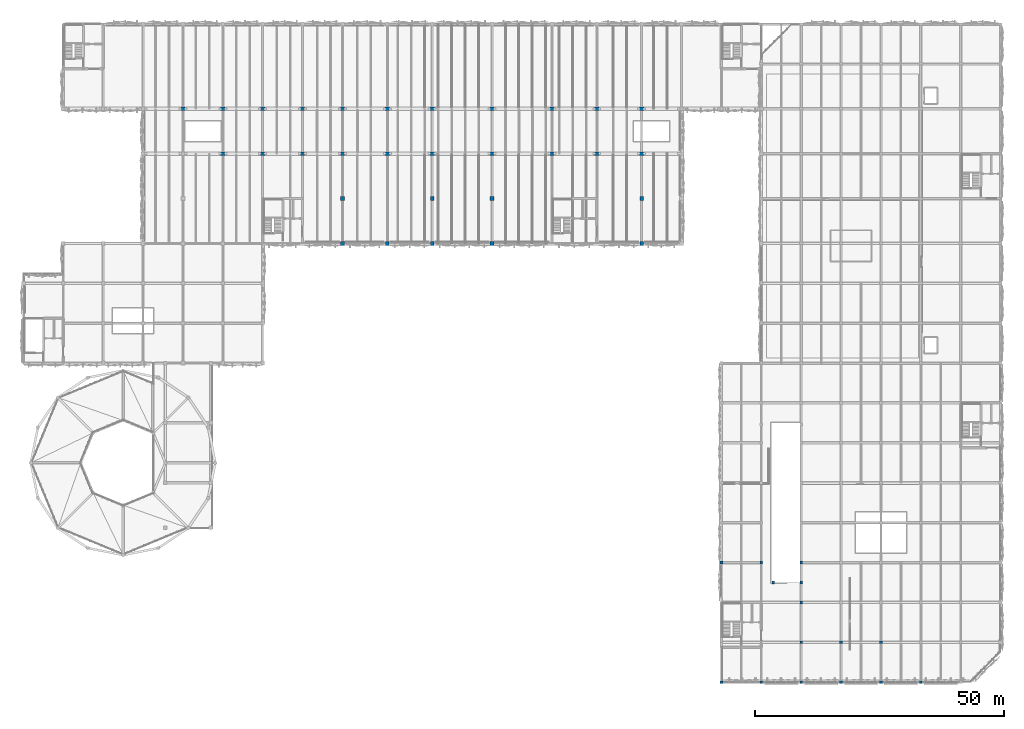
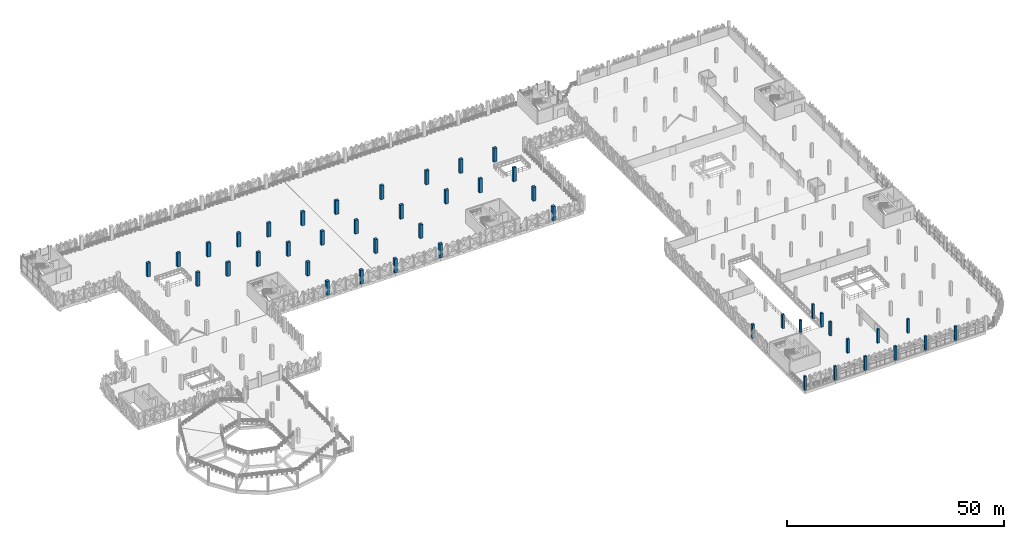
# One storey, part 3 of 83: 45 columns.
"""IFC4 building model written with IfcOpenShell, lengths in metres."""

import ifcopenshell
import ifcopenshell.guid

model = None  # the IFC model being written
_history = None  # IfcOwnerHistory: only IFC2X3 demands one
_inside = {}  # id of a spatial element -> (the spatial element, [elements in it])
_under = {}  # id of a project, library or spatial element -> (it, [spatial elements below it])
_declared = {}  # id of a project -> (the project, [libraries it declares])
_typed = {}  # id of a type object -> (the type object, [elements of that type])
_made_of = {}  # id of a material, layer set ... -> (it, [elements and type objects made of it])


def new_model(schema):
    """Start an empty IFC model of exactly this schema.

    Asked for "IFC4X3", IfcOpenShell would pick the latest addendum, in which some entities
    have other attributes; the version numbers below select the first issue.
    IFC2X3 requires an IfcOwnerHistory on every rooted entity: one is made here for all.
    """
    global model, _history
    if schema == "IFC4X3":
        model = ifcopenshell.file(schema_version=(4, 3, 0, 0))
    else:
        model = ifcopenshell.file(schema=schema)
    _inside.clear()
    _under.clear()
    _declared.clear()
    _typed.clear()
    _made_of.clear()
    _history = None
    if model.schema == "IFC2X3":
        org = make("IfcOrganization", Name="unknown")
        user = make(
            "IfcPersonAndOrganization",
            ThePerson=make("IfcPerson", FamilyName="unknown"),
            TheOrganization=org,
        )
        app = make(
            "IfcApplication",
            ApplicationDeveloper=org,
            Version="unknown",
            ApplicationFullName="unknown",
            ApplicationIdentifier="unknown",
        )
        _history = make(
            "IfcOwnerHistory",
            OwningUser=user,
            OwningApplication=app,
            ChangeAction="ADDED",
            CreationDate=0,
        )
    return model


def make(cls, **values):
    """One entity of the class cls with the attributes given. An attribute that is None is left unset."""
    return model.create_entity(
        cls, **{name: value for name, value in values.items() if value is not None}
    )


def rooted(cls, **values):
    """An entity with a GlobalId (a new one), such as an element, a storey or a relation."""
    return make(cls, GlobalId=ifcopenshell.guid.new(), OwnerHistory=_history, **values)


def si_unit(unit_type, name, prefix=None):
    """IfcSIUnit, for example si_unit("LENGTHUNIT", "METRE", prefix="MILLI")."""
    return make("IfcSIUnit", UnitType=unit_type, Prefix=prefix, Name=name)


def derived_unit(unit_type, elements):
    """IfcDerivedUnit: a product of units, each with its exponent."""
    return make(
        "IfcDerivedUnit",
        Elements=[
            make("IfcDerivedUnitElement", Unit=unit, Exponent=power)
            for unit, power in elements
        ],
        UnitType=unit_type,
    )


def assignment(units):
    """IfcUnitAssignment: the units of a project."""
    return None if units is None else make("IfcUnitAssignment", Units=units)


def point(xyz):
    """IfcCartesianPoint."""
    return None if xyz is None else make("IfcCartesianPoint", Coordinates=xyz)


def direction(xyz):
    """IfcDirection."""
    return None if xyz is None else make("IfcDirection", DirectionRatios=xyz)


def frame(location, z_axis=None, x_axis=None):
    """IfcAxis2Placement3D, a coordinate frame: its origin and axes. An axis left out is left unset."""
    return make(
        "IfcAxis2Placement3D",
        Location=point(location),
        Axis=direction(z_axis),
        RefDirection=direction(x_axis),
    )


def frame_2d(location, x_axis=None):
    """IfcAxis2Placement2D, a coordinate frame in the plane: its origin and x axis."""
    return make(
        "IfcAxis2Placement2D", Location=point(location), RefDirection=direction(x_axis)
    )


def origin():
    """The frame at (0, 0, 0) with its axes left unset."""
    return frame((0.0, 0.0, 0.0))


def origin_2d():
    """The frame at (0, 0) in the plane with its x axis left unset."""
    return frame_2d((0.0, 0.0))


def place(relative_to, where):
    """IfcLocalPlacement: puts the frame where relative to a parent placement (None: the world)."""
    return make(
        "IfcLocalPlacement", PlacementRelTo=relative_to, RelativePlacement=where
    )


def context(
    kind, dimensions, precision=None, world=None, true_north=None, identifier=None
):
    """IfcGeometricRepresentationContext, for example the 3D "Model" context."""
    return make(
        "IfcGeometricRepresentationContext",
        ContextIdentifier=identifier,
        ContextType=kind,
        CoordinateSpaceDimension=dimensions,
        Precision=precision,
        WorldCoordinateSystem=world,
        TrueNorth=true_north,
    )


def subcontext(parent, identifier, kind, view, scale=None):
    """IfcGeometricRepresentationSubContext, for example "Body" below "Model"."""
    return make(
        "IfcGeometricRepresentationSubContext",
        ContextIdentifier=identifier,
        ContextType=kind,
        ParentContext=parent,
        TargetScale=scale,
        TargetView=view,
    )


def project(units=None, contexts=None):
    """IfcProject with its units and contexts."""
    return rooted(
        "IfcProject",
        Name="project",
        RepresentationContexts=contexts,
        UnitsInContext=assignment(units),
    )


def spatial(cls, under=None, at=None, **own):
    """A site, building, storey or space (cls), placed at a placement, below another one or the project."""
    s = rooted(cls, ObjectPlacement=at, **own)
    if under is not None:
        _under.setdefault(under.id(), (under, []))[1].append(s)
    return s


def profile(cls, at=None, kind="AREA", **sizes):
    """A parametric profile (cls). Its sizes go by their IFC names, for example OverallWidth=200.0."""
    return make(cls, ProfileType=kind, Position=at, **sizes)


def rectangle(**sizes):
    """IfcRectangleProfileDef."""
    return profile("IfcRectangleProfileDef", **sizes)


def extrude(swept, where, along, depth):
    """IfcExtrudedAreaSolid: the profile swept, set in the frame where, extruded along a direction by depth."""
    return make(
        "IfcExtrudedAreaSolid",
        SweptArea=swept,
        Position=where,
        ExtrudedDirection=direction(along),
        Depth=depth,
    )


def shape(context_of_items, identifier, shape_type, items):
    """IfcShapeRepresentation: the items that make up one representation, for example the "Body"."""
    return make(
        "IfcShapeRepresentation",
        ContextOfItems=context_of_items,
        RepresentationIdentifier=identifier,
        RepresentationType=shape_type,
        Items=items,
    )


def material(Name=None, Category=None):
    """IfcMaterial."""
    return make("IfcMaterial", Name=Name, Category=Category)


def material_profile(
    of_material, cross_section, Name=None, Category=None, Priority=None
):
    """IfcMaterialProfile: a cross section and its material."""
    return make(
        "IfcMaterialProfile",
        Name=Name,
        Material=of_material,
        Profile=cross_section,
        Priority=Priority,
        Category=Category,
    )


def profile_set(profiles, Name=None, composite=None):
    """IfcMaterialProfileSet."""
    return make(
        "IfcMaterialProfileSet",
        Name=Name,
        MaterialProfiles=profiles,
        CompositeProfile=composite,
    )


def made_of(thing, what):
    """Note that an element or type object is made of a material, layer set ...; save() writes the relation."""
    if what is not None:
        _made_of.setdefault(what.id(), (what, []))[1].append(thing)
    return thing


def type_object(cls, material=None, **own):
    """A type object (cls), such as IfcWallType, which elements share."""
    return made_of(rooted(cls, **own), material)


def element(
    cls,
    number,
    at=None,
    inside=None,
    cuts=None,
    type_object=None,
    material=None,
    context=None,
    identifier="Body",
    shape_type=None,
    held_by="IfcProductDefinitionShape",
    body=None,
    shapes=None,
    **own,
):
    """One element of the class cls, such as IfcWall. Its Tag is "e" and its number.

    at: its placement. inside: the storey or other place that contains it. cuts: it is an
    opening in that element (IfcRelVoidsElement). A single representation is given by context,
    identifier, shape_type and body (its items); several are given by shapes. held_by: the class
    of the entity that holds the representations. save() writes the other relations.
    """
    e = rooted(cls, Tag="e%d" % number, ObjectPlacement=at, **own)
    if body is not None:
        shapes = [shape(context, identifier, shape_type, body)]
    if shapes is not None:
        e.Representation = make(held_by, Representations=shapes)
    if inside is not None:
        _inside.setdefault(inside.id(), (inside, []))[1].append(e)
    if cuts is not None:
        rooted(
            "IfcRelVoidsElement", RelatingBuildingElement=cuts, RelatedOpeningElement=e
        )
    if type_object is not None:
        _typed.setdefault(type_object.id(), (type_object, []))[1].append(e)
    return made_of(e, material)


def aggregate(whole, parts):
    """IfcRelAggregates: a whole, such as a stair, and the parts it consists of."""
    return rooted("IfcRelAggregates", RelatingObject=whole, RelatedObjects=parts)


def save(model, path):
    """Write the relations noted so far, then the file.

    IfcRelAggregates (storeys below a building ...), IfcRelContainedInSpatialStructure (elements
    in a storey), IfcRelDefinesByType, IfcRelAssociatesMaterial and IfcRelDeclares: one each for
    every whole, place, type object, material and project.
    """
    for whole, parts in _under.values():
        aggregate(whole, parts)
    for where, things in _inside.values():
        rooted(
            "IfcRelContainedInSpatialStructure",
            RelatedElements=things,
            RelatingStructure=where,
        )
    for kind, things in _typed.values():
        rooted("IfcRelDefinesByType", RelatedObjects=things, RelatingType=kind)
    for what, things in _made_of.values():
        rooted("IfcRelAssociatesMaterial", RelatedObjects=things, RelatingMaterial=what)
    for by, libraries in _declared.values():
        rooted("IfcRelDeclares", RelatingContext=by, RelatedDefinitions=libraries)
    model.write(path)


model = new_model("IFC4")

# Units and contexts
model_context = context("Model", 3, precision=1e-05, world=origin(), true_north=direction((0.0, 1.0)))
body_context = subcontext(model_context, "Body", "Model", "MODEL_VIEW")
ifc_project = project(units=[si_unit("LENGTHUNIT", "METRE"), si_unit("AREAUNIT", "SQUARE_METRE"), si_unit("VOLUMEUNIT", "CUBIC_METRE"), si_unit("PLANEANGLEUNIT", "RADIAN"), si_unit("MASSUNIT", "GRAM", prefix="KILO"), si_unit("THERMODYNAMICTEMPERATUREUNIT", "KELVIN"), derived_unit("THERMALTRANSMITTANCEUNIT", [(si_unit("POWERUNIT", "WATT"), 1), (si_unit("AREAUNIT", "SQUARE_METRE"), -1), (si_unit("THERMODYNAMICTEMPERATUREUNIT", "KELVIN"), -1)])], contexts=[model_context])

# Site, building, storey
site_placement = place(None, origin())
site = spatial("IfcSite", under=ifc_project, at=site_placement, CompositionType="ELEMENT")
building_placement = place(site_placement, origin())
building = spatial("IfcBuilding", under=site, at=building_placement, Name="Haiyu Intermodal Mobility Hub", CompositionType="ELEMENT")
storey_placement = place(building_placement, frame((0.0, 0.0, 13.39990234375)))
storey = spatial("IfcBuildingStorey", under=building, at=storey_placement, Name="L03", CompositionType="ELEMENT", Elevation=13.39990234375)

# Columns
ifc_material_1 = material(Name="Precast concrete C40", Category="concrete")
ifc_material_profile_1 = material_profile(ifc_material_1, rectangle(XDim=0.75, YDim=0.75, at=origin_2d()), Name="RC750x750")
ifc_profile_set_1 = profile_set([ifc_material_profile_1], Name="Precast concrete C40")
column_type_1 = type_object("IfcColumnType", Name="COL-CC03", PredefinedType="COLUMN", material=ifc_profile_set_1)
for number, where, z_axis, x_axis, name in (
    (1, (78.0, 113.0, 0.0), (0.0, 0.0, 1.0), (1.0, 0.0, 0.0), "Column V3S-9N L03"),
    (2, (96.0, 113.0, 0.0), (0.0, 0.0, 1.0), (1.0, 0.0, 0.0), "Column V3S-11N L03"),
    (3, (108.0, 113.0, 0.0), (0.0, 0.0, 1.0), (1.0, 0.0, 0.0), "Column V3S-12N L03"),
    (4, (138.0, 113.0, 0.0), (0.0, 0.0, 1.0), (1.0, 0.0, 0.0), "Column V3S-15N L03"),
):
    element("IfcColumn", number, at=place(storey_placement, frame(where, z_axis=z_axis, x_axis=x_axis)), inside=storey, type_object=column_type_1, Name=name, PredefinedType="COLUMN", context=body_context, shape_type="SweptSolid", body=[
        extrude(rectangle(XDim=0.75, YDim=0.75, at=origin_2d()), origin(), (0.0, 0.0, 1.0), 3.900146484375),
    ])
ifc_material_profile_2 = material_profile(ifc_material_1, rectangle(XDim=0.75, YDim=0.75, at=origin_2d()), Name="RC750x750")
ifc_profile_set_2 = profile_set([ifc_material_profile_2], Name="Precast concrete C40")
column_type_2 = type_object("IfcColumnType", Name="COL-CC03-EXT", PredefinedType="COLUMN", material=ifc_profile_set_2)
for number, where, z_axis, x_axis, name in (
    (5, (78.0, 104.0, 0.0), (0.0, 0.0, 1.0), (1.0, 0.0, 0.0), "Column V4-9M L03"),
    (6, (87.0, 104.0, 0.0), (0.0, 0.0, 1.0), (1.0, 0.0, 0.0), "Column V4-10M L03"),
    (7, (96.0, 104.0, 0.0), (0.0, 0.0, 1.0), (1.0, 0.0, 0.0), "Column V4-11M L03"),
    (8, (108.0, 104.0, 0.0), (0.0, 0.0, 1.0), (1.0, 0.0, 0.0), "Column V4-12M L03"),
    (9, (138.0, 104.0, 0.0), (0.0, 0.0, 1.0), (1.0, 0.0, 0.0), "Column V4-15M L03"),
):
    element("IfcColumn", number, at=place(storey_placement, frame(where, z_axis=z_axis, x_axis=x_axis)), inside=storey, type_object=column_type_2, Name=name, PredefinedType="COLUMN", context=body_context, shape_type="SweptSolid", body=[
        extrude(rectangle(XDim=0.75, YDim=0.75, at=origin_2d()), origin(), (0.0, 0.0, 1.0), 3.900146484375),
    ])
ifc_material_profile_3 = material_profile(ifc_material_1, rectangle(XDim=0.85009765625, YDim=0.64990234375, at=origin_2d()), Name="RC850x650")
ifc_profile_set_3 = profile_set([ifc_material_profile_3], Name="Precast concrete C40")
column_type_3 = type_object("IfcColumnType", Name="COL-CC05", PredefinedType="COLUMN", material=ifc_profile_set_3)
for number, where, z_axis, x_axis, name in (
    (10, (46.0, 131.0, 0.0), (0.0, 0.0, 1.0), (1.0, 0.0, 0.0), "Column V4-5Q L03"),
    (11, (54.0, 122.0, 0.0), (0.0, 0.0, 1.0), (1.0, 0.0, 0.0), "Column V4-6P L03"),
    (12, (54.0, 131.0, 0.0), (0.0, 0.0, 1.0), (1.0, 0.0, 0.0), "Column V4-6Q L03"),
    (13, (62.0, 122.0, 0.0), (0.0, 0.0, 1.0), (1.0, 0.0, 0.0), "Column V4-7P L03"),
    (14, (62.0, 131.0, 0.0), (0.0, 0.0, 1.0), (1.0, 0.0, 0.0), "Column V4-7Q L03"),
    (15, (70.0, 122.0, 0.0), (0.0, 0.0, 1.0), (1.0, 0.0, 0.0), "Column V4-8P L03"),
    (16, (70.0, 131.0, 0.0), (0.0, 0.0, 1.0), (1.0, 0.0, 0.0), "Column V4-8Q L03"),
    (17, (78.0, 122.0, 0.0), (0.0, 0.0, 1.0), (1.0, 0.0, 0.0), "Column V4-9P L03"),
    (18, (78.0, 131.0, 0.0), (0.0, 0.0, 1.0), (1.0, 0.0, 0.0), "Column V4-9Q L03"),
    (19, (87.0, 122.0, 0.0), (0.0, 0.0, 1.0), (1.0, 0.0, 0.0), "Column V4-10P L03"),
    (20, (87.0, 131.0, 0.0), (0.0, 0.0, 1.0), (1.0, 0.0, 0.0), "Column V4-10Q L03"),
    (21, (96.0, 122.0, 0.0), (0.0, 0.0, 1.0), (1.0, 0.0, 0.0), "Column V4-11P L03"),
    (22, (96.0, 131.0, 0.0), (0.0, 0.0, 1.0), (1.0, 0.0, 0.0), "Column V4-11Q L03"),
    (23, (108.0, 122.0, 0.0), (0.0, 0.0, 1.0), (1.0, 0.0, 0.0), "Column V4-12P L03"),
    (24, (108.0, 131.0, 0.0), (0.0, 0.0, 1.0), (1.0, 0.0, 0.0), "Column V4-12Q L03"),
    (25, (120.0, 122.0, 0.0), (0.0, 0.0, 1.0), (1.0, 0.0, 0.0), "Column V4-13P L03"),
    (26, (120.0, 131.0, 0.0), (0.0, 0.0, 1.0), (1.0, 0.0, 0.0), "Column V4-13Q L03"),
    (27, (129.0, 122.0, 0.0), (0.0, 0.0, 1.0), (1.0, 0.0, 0.0), "Column V4-14P L03"),
    (28, (129.0, 131.0, 0.0), (0.0, 0.0, 1.0), (1.0, 0.0, 0.0), "Column V4-14Q L03"),
    (29, (138.0, 122.0, 0.0), (0.0, 0.0, 1.0), (1.0, 0.0, 0.0), "Column V4-15P L03"),
    (30, (138.0, 131.0, 0.0), (0.0, 0.0, 1.0), (1.0, 0.0, 0.0), "Column V4-15Q L03"),
):
    element("IfcColumn", number, at=place(storey_placement, frame(where, z_axis=z_axis, x_axis=x_axis)), inside=storey, type_object=column_type_3, Name=name, PredefinedType="COLUMN", context=body_context, shape_type="SweptSolid", body=[
        extrude(rectangle(XDim=0.85009765625, YDim=0.64990234375, at=origin_2d()), origin(), (0.0, 0.0, 1.0), 3.900146484375),
    ])
ifc_material_2 = material(Name="Concrete C40", Category="concrete")
ifc_material_profile_4 = material_profile(ifc_material_2, rectangle(XDim=0.550048828125, YDim=0.550048828125, at=origin_2d()), Name="RC550x550")
ifc_profile_set_4 = profile_set([ifc_material_profile_4], Name="Concrete C40")
column_type_4 = type_object("IfcColumnType", Name="COL-CC11", PredefinedType="COLUMN", material=ifc_profile_set_4)
for number, where, z_axis, x_axis, name in (
    (31, (170.0, 24.0, 0.0), (0.0, 0.0, 1.0), (1.0, 0.0, 0.0), "Column V5-19B L03"),
    (32, (170.0, 32.0, 0.0), (0.0, 0.0, 1.0), (1.0, 0.0, 0.0), "Column V5-19C L03"),
    (33, (170.0, 40.0, 0.0), (0.0, 0.0, 1.0), (1.0, 0.0, 0.0), "Column V5-19D L03"),
    (34, (178.0, 24.0, 0.0), (0.0, 0.0, 1.0), (1.0, 0.0, 0.0), "Column V5-20B L03"),
    (35, (186.0, 24.0, 0.0), (0.0, 0.0, 1.0), (1.0, 0.0, 0.0), "Column V5-21B L03"),
    (36, (164.39990234375, 36.0, 0.0), (0.0, 0.0, 1.0), (1.0, 0.0, 0.0), "Column BRMP-1 L03"),
    (37, (170.0, 36.0, 0.0), (0.0, 0.0, 1.0), (1.0, 0.0, 0.0), "Column BRMP-2 L03"),
):
    element("IfcColumn", number, at=place(storey_placement, frame(where, z_axis=z_axis, x_axis=x_axis)), inside=storey, type_object=column_type_4, Name=name, PredefinedType="COLUMN", context=body_context, shape_type="SweptSolid", body=[
        extrude(rectangle(XDim=0.550048828125, YDim=0.550048828125, at=origin_2d()), origin(), (0.0, 0.0, 1.0), 3.900146484375),
    ])
ifc_material_profile_5 = material_profile(ifc_material_2, rectangle(XDim=0.550048828125, YDim=0.550048828125, at=origin_2d()), Name="RC550x550")
ifc_profile_set_5 = profile_set([ifc_material_profile_5], Name="Concrete C40")
column_type_5 = type_object("IfcColumnType", Name="COL-CC11-EXT", PredefinedType="COLUMN", material=ifc_profile_set_5)
for number, where, z_axis, x_axis, name in (
    (38, (154.0, 40.0, 0.0), (0.0, 0.0, 1.0), (1.0, 0.0, 0.0), "Column V1-17D L03"),
    (39, (154.0, 16.0, 0.0), (0.0, 0.0, 1.0), (1.0, 0.0, 0.0), "Column V5-17A L03"),
    (40, (162.0, 16.0, 0.0), (0.0, 0.0, 1.0), (1.0, 0.0, 0.0), "Column V5-18A L03"),
    (41, (162.0, 40.0, 0.0), (0.0, 0.0, 1.0), (1.0, 0.0, 0.0), "Column V5-18D L03"),
    (42, (170.0, 16.0, 0.0), (0.0, 0.0, 1.0), (1.0, 0.0, 0.0), "Column V5-19A L03"),
    (43, (178.0, 16.0, 0.0), (0.0, 0.0, 1.0), (1.0, 0.0, 0.0), "Column V5-20A L03"),
    (44, (186.0, 16.0, 0.0), (0.0, 0.0, 1.0), (1.0, 0.0, 0.0), "Column V5-21A L03"),
    (45, (194.0, 16.0, 0.0), (0.0, 0.0, 1.0), (1.0, 0.0, 0.0), "Column V5-22A L03"),
):
    element("IfcColumn", number, at=place(storey_placement, frame(where, z_axis=z_axis, x_axis=x_axis)), inside=storey, type_object=column_type_5, Name=name, PredefinedType="COLUMN", context=body_context, shape_type="SweptSolid", body=[
        extrude(rectangle(XDim=0.550048828125, YDim=0.550048828125, at=origin_2d()), origin(), (0.0, 0.0, 1.0), 3.900146484375),
    ])

save(model, "model.ifc")
